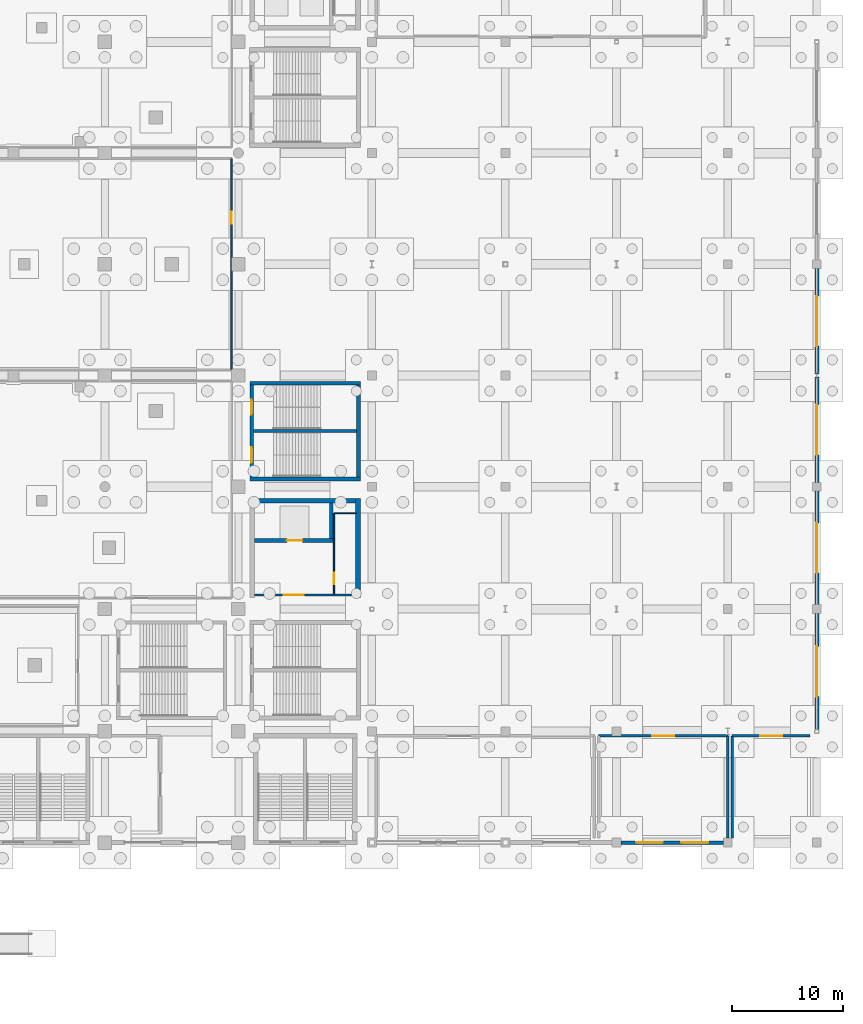
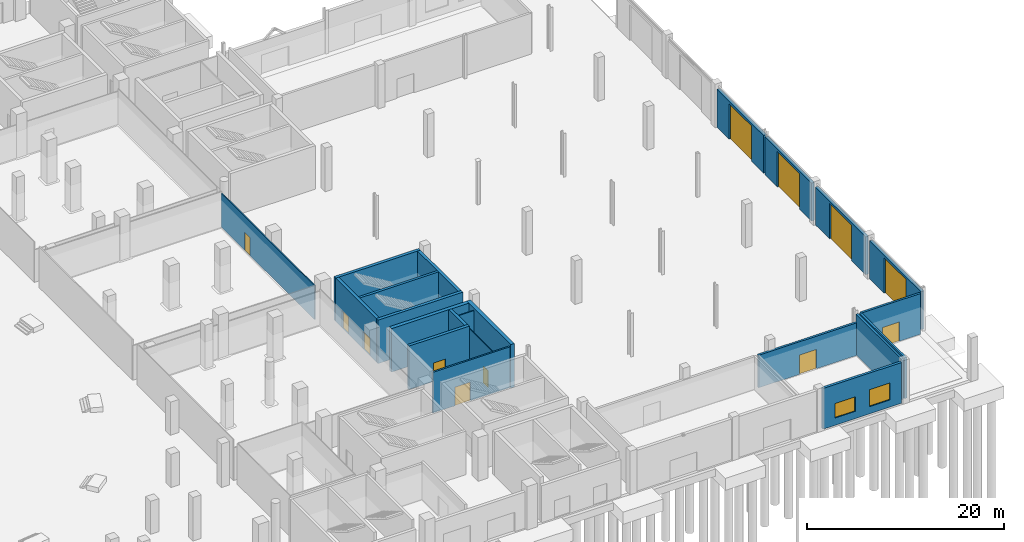
# One storey, part 55 of 70: 22 walls, 12 doors, 2 windows, 14 openings.
"""IFC4 building model written with IfcOpenShell, lengths in metres."""

from ifc_helpers import new_model, si_unit, direction, frame, frame_2d, origin, place, context, subcontext, project, spatial, rectangle, extrude, material, layer, layer_set, type_object, element, fill, save


model = new_model("IFC4")

# Units and contexts
model_context = context("Model", 3, precision=1e-05, world=origin(), true_north=direction((0.0, 1.0)))
body_context = subcontext(model_context, "Body", "Model", "MODEL_VIEW")
ifc_project = project(units=[si_unit("LENGTHUNIT", "METRE"), si_unit("AREAUNIT", "SQUARE_METRE"), si_unit("VOLUMEUNIT", "CUBIC_METRE"), si_unit("PLANEANGLEUNIT", "RADIAN"), si_unit("MASSUNIT", "GRAM", prefix="KILO")], contexts=[model_context])

# Site, building, storey
site_placement = place(None, origin())
site = spatial("IfcSite", under=ifc_project, at=site_placement, CompositionType="ELEMENT")
building_placement = place(site_placement, origin())
building = spatial("IfcBuilding", under=site, at=building_placement, Name="Brinegate Civic Arena", CompositionType="ELEMENT")
storey_placement = place(building_placement, origin())
storey = spatial("IfcBuildingStorey", under=building, at=storey_placement, Name="L00", CompositionType="ELEMENT", Elevation=0.0)

# Walls
ifc_material_1 = material(Name="Concrete C50/60", Category="concrete")
ifc_layer_1 = layer(ifc_material_1, 0.35009765625, Name="Concrete C50/60")
ifc_layer_set_1 = layer_set([ifc_layer_1], Name="Concrete C50/60")
wall_type_1 = type_object("IfcWallType", Name="WALL-CORE-SHEAR-350", PredefinedType="SHEAR", material=ifc_layer_set_1)
for number, where, z_axis, x_axis, name in (
    (1, (157.02490234375, 42.699951171875, 0.0), (0.0, 0.0, 1.0), (1.0, 0.0, 0.0), "Stair ST-10 South Shear Wall L00 (WBD-54)"),
    (2, (157.02490234375, 51.300048828125, 0.0), (0.0, 0.0, 1.0), (1.0, 0.0, 0.0), "Stair ST-10 North Shear Wall L00 (WBD-55)"),
):
    element("IfcWall", number, at=place(storey_placement, frame(where, z_axis=z_axis, x_axis=x_axis)), inside=storey, type_object=wall_type_1, Name=name, PredefinedType="SHEAR", context=body_context, shape_type="SweptSolid", body=[
        extrude(rectangle(XDim=9.9501953125, YDim=0.35009765625, at=frame_2d((4.97509765625, 0.0))), origin(), (0.0, 0.0, 1.0), 5.39990234375),
    ])

# Wall, openings, doors
wall_1_placement = place(storey_placement, frame((157.199951171875, 42.875, 0.0), z_axis=(0.0, 0.0, 1.0), x_axis=(0.0, 1.0, 0.0)))
wall_1 = element("IfcWall", 3, at=wall_1_placement, inside=storey, type_object=wall_type_1, Name="Stair ST-10 West Shear Wall L00 (WBD-56)", PredefinedType="SHEAR", context=body_context, shape_type="SweptSolid", body=[
    extrude(rectangle(XDim=8.25, YDim=0.35009765625, at=frame_2d((4.125, 0.0))), origin(), (0.0, 0.0, 1.0), 5.39990234375),
])
opening_1_placement = place(wall_1_placement, frame((1.27490234375, 0.0, 0.0)))
opening_1 = element("IfcOpeningElement", 4, at=opening_1_placement, cuts=wall_1, Name="Opening D-ST10A-L00", PredefinedType="OPENING", context=body_context, shape_type="SweptSolid", body=[
    extrude(rectangle(XDim=1.39990234375, YDim=2.199951171875, at=frame_2d((0.699951171875, 1.10009765625))), frame((0.0, 0.18505859375, 0.0), z_axis=(0.0, -1.0, 0.0), x_axis=(1.0, 0.0, 0.0)), (0.0, 0.0, 1.0), 0.3701171875),
])
opening_2_placement = place(wall_1_placement, frame((5.614990234375, 0.0, 0.0)))
opening_2 = element("IfcOpeningElement", 5, at=opening_2_placement, cuts=wall_1, Name="Opening D-ST10B-L00", PredefinedType="OPENING", context=body_context, shape_type="SweptSolid", body=[
    extrude(rectangle(XDim=1.320068359375, YDim=2.199951171875, at=frame_2d((0.66015625, 1.10009765625))), frame((0.0, 0.18505859375, 0.0), z_axis=(0.0, -1.0, 0.0), x_axis=(1.0, 0.0, 0.0)), (0.0, 0.0, 1.0), 0.3701171875),
])
ifc_material_2 = material(Name="Galvanized hurricane steel", Category="steel")
door_type_1 = type_object("IfcDoorType", Name="DOOR-STAIR-2200X2200", OperationType="NOTDEFINED", PredefinedType="DOOR", material=ifc_material_2)
door_1_placement = place(opening_2_placement, origin())
door_1 = element("IfcDoor", 6, at=door_1_placement, inside=storey, type_object=door_type_1, Name="Protected Exit Stair Door D-ST10B-L00", OperationType="DOUBLE_DOOR_SINGLE_SWING", OverallHeight=2.199951171875, OverallWidth=1.320068359375, PredefinedType="DOOR", context=body_context, shape_type="SweptSolid", body=[
    extrude(rectangle(XDim=1.320068359375, YDim=2.199951171875, at=frame_2d((0.66015625, 1.10009765625))), frame((0.0, 0.02490234375, 0.0), z_axis=(0.0, -1.0, 0.0), x_axis=(1.0, 0.0, 0.0)), (0.0, 0.0, 1.0), 0.050048828125),
])
fill(opening_2, door_1)
door_type_2 = type_object("IfcDoorType", Name="DOOR-STAIR-2400X2200", OperationType="NOTDEFINED", PredefinedType="DOOR", material=ifc_material_2)
door_2_placement = place(opening_1_placement, origin())
door_2 = element("IfcDoor", 7, at=door_2_placement, inside=storey, type_object=door_type_2, Name="Protected Exit Stair Door D-ST10A-L00", OperationType="DOUBLE_DOOR_SINGLE_SWING", OverallHeight=2.199951171875, OverallWidth=1.39990234375, PredefinedType="DOOR", context=body_context, shape_type="SweptSolid", body=[
    extrude(rectangle(XDim=1.39990234375, YDim=2.199951171875, at=frame_2d((0.699951171875, 1.10009765625))), frame((0.0, 0.02490234375, 0.0), z_axis=(0.0, -1.0, 0.0), x_axis=(1.0, 0.0, 0.0)), (0.0, 0.0, 1.0), 0.050048828125),
])
fill(opening_1, door_2)

# Wall
wall_2_placement = place(storey_placement, frame((166.800048828125, 42.875, 0.0), z_axis=(0.0, 0.0, 1.0), x_axis=(0.0, 1.0, 0.0)))
element("IfcWall", 8, at=wall_2_placement, inside=storey, type_object=wall_type_1, Name="Stair ST-10 East Shear Wall L00 (WBD-57)", PredefinedType="SHEAR", context=body_context, shape_type="SweptSolid", body=[
    extrude(rectangle(XDim=8.25, YDim=0.35009765625, at=frame_2d((4.125, 0.0))), origin(), (0.0, 0.0, 1.0), 5.39990234375),
])

# Wall, opening, door
wall_3_placement = place(storey_placement, frame((157.4599609375, 37.14990234375, 0.0), z_axis=(0.0, 0.0, 1.0), x_axis=(1.0, 0.0, 0.0)))
wall_3 = element("IfcWall", 9, at=wall_3_placement, inside=storey, type_object=wall_type_1, Name="Core K6 Lift Shaft Front Wall L00 (WBH-83)", PredefinedType="SHEAR", context=body_context, shape_type="SweptSolid", body=[
    extrude(rectangle(XDim=7.06494140625, YDim=0.35009765625, at=frame_2d((3.532470703125, 0.0))), origin(), (0.0, 0.0, 1.0), 5.39990234375),
])
opening_3_placement = place(wall_3_placement, frame((2.889892578125, 0.0, 0.0)))
opening_3 = element("IfcOpeningElement", 10, at=opening_3_placement, cuts=wall_3, Name="Opening LD-GL2-L00", PredefinedType="OPENING", context=body_context, shape_type="SweptSolid", body=[
    extrude(rectangle(XDim=1.39990234375, YDim=2.300048828125, at=frame_2d((0.699951171875, 1.14990234375))), frame((0.0, 0.18505859375, 0.0), z_axis=(0.0, -1.0, 0.0), x_axis=(1.0, 0.0, 0.0)), (0.0, 0.0, 1.0), 0.3701171875),
])
ifc_material_3 = material(Name="Architectural stainless steel balustrade", Category="steel")
door_type_3 = type_object("IfcDoorType", Name="DOOR-LIFT-1400X2300", OperationType="SLIDING_TO_LEFT", PredefinedType="DOOR", material=ifc_material_3)
door_3_placement = place(opening_3_placement, origin())
door_3 = element("IfcDoor", 11, at=door_3_placement, inside=storey, type_object=door_type_3, Name="Sliding Lift Landing Door LD-GL2-L00", OperationType="SLIDING_TO_LEFT", OverallHeight=2.300048828125, OverallWidth=1.39990234375, PredefinedType="DOOR", context=body_context, shape_type="SweptSolid", body=[
    extrude(rectangle(XDim=1.39990234375, YDim=2.300048828125, at=frame_2d((0.699951171875, 1.14990234375))), frame((0.0, 0.02490234375, 0.0), z_axis=(0.0, -1.0, 0.0), x_axis=(1.0, 0.0, 0.0)), (0.0, 0.0, 1.0), 0.050048828125),
])
fill(opening_3, door_3)

# Walls
wall_4_placement = place(storey_placement, frame((164.35009765625, 37.324951171875, 0.0), z_axis=(0.0, 0.0, 1.0), x_axis=(0.0, 1.0, 0.0)))
element("IfcWall", 12, at=wall_4_placement, inside=storey, type_object=wall_type_1, Name="Core K6 Lift Shaft End Wall L00 (WBH-84)", PredefinedType="SHEAR", context=body_context, shape_type="SweptSolid", body=[
    extrude(rectangle(XDim=3.215087890625, YDim=0.35009765625, at=frame_2d((1.607421875, 0.0))), origin(), (0.0, 0.0, 1.0), 5.39990234375),
])
ifc_layer_2 = layer(ifc_material_1, 0.419921875, Name="Concrete C50/60")
ifc_layer_set_2 = layer_set([ifc_layer_2], Name="Concrete C50/60")
wall_type_2 = type_object("IfcWallType", Name="WALL-CORE-SHEAR-420", PredefinedType="SHEAR", material=ifc_layer_set_2)
wall_5_placement = place(storey_placement, frame((166.75, 32.0400390625, 0.0), z_axis=(0.0, 0.0, 1.0), x_axis=(0.0, 1.0, 0.0)))
element("IfcWall", 13, at=wall_5_placement, inside=storey, type_object=wall_type_2, Name="Core K6 East Shear Wall L00 (WBH-81)", PredefinedType="SHEAR", context=body_context, shape_type="SweptSolid", body=[
    extrude(rectangle(XDim=8.919921875, YDim=0.419921875, at=frame_2d((4.4599609375, 0.0))), origin(), (0.0, 0.0, 1.0), 5.39990234375),
])
wall_6_placement = place(storey_placement, frame((157.4599609375, 40.75, 0.0), z_axis=(0.0, 0.0, 1.0), x_axis=(1.0, 0.0, 0.0)))
element("IfcWall", 14, at=wall_6_placement, inside=storey, type_object=wall_type_2, Name="Core K6 North Shear Wall L00 (WBH-82)", PredefinedType="SHEAR", context=body_context, shape_type="SweptSolid", body=[
    extrude(rectangle(XDim=9.080078125, YDim=0.419921875, at=frame_2d((4.5400390625, 0.0))), origin(), (0.0, 0.0, 1.0), 5.39990234375),
])

# Wall, openings, windows
ifc_material_4 = material(Name="Precast concrete C45/55", Category="concrete")
ifc_layer_3 = layer(ifc_material_4, 0.300048828125, Name="Precast concrete C45/55")
ifc_layer_set_3 = layer_set([ifc_layer_3], Name="Precast concrete C45/55")
wall_type_3 = type_object("IfcWallType", Name="WALL-EXT-PRECAST-300", PredefinedType="SOLIDWALL", material=ifc_layer_set_3)
wall_7_placement = place(storey_placement, frame((190.385009765625, 10.0, 0.0), z_axis=(0.0, 0.0, 1.0), x_axis=(1.0, 0.0, 0.0)))
wall_7 = element("IfcWall", 15, at=wall_7_placement, inside=storey, type_object=wall_type_3, Name="Perimeter Window Wall L00-03 (WBA-04)", PredefinedType="SOLIDWALL", context=body_context, shape_type="SweptSolid", body=[
    extrude(rectangle(XDim=9.22998046875, YDim=0.300048828125, at=frame_2d((4.614990234375, 0.0))), origin(), (0.0, 0.0, 1.0), 5.06005859375),
])
opening_4_placement = place(wall_7_placement, frame((1.384033203125, 0.0, 0.89990234375)))
opening_4 = element("IfcOpeningElement", 16, at=opening_4_placement, cuts=wall_7, Name="Opening WN-0005", PredefinedType="OPENING", context=body_context, shape_type="SweptSolid", body=[
    extrude(rectangle(XDim=2.39990234375, YDim=1.800048828125, at=frame_2d((1.199951171875, 0.89990234375))), frame((0.0, 0.159912109375, 0.0), z_axis=(0.0, -1.0, 0.0), x_axis=(1.0, 0.0, 0.0)), (0.0, 0.0, 1.0), 0.320068359375),
])
opening_5_placement = place(wall_7_placement, frame((5.446044921875, 0.0, 0.89990234375)))
opening_5 = element("IfcOpeningElement", 17, at=opening_5_placement, cuts=wall_7, Name="Opening WN-0006", PredefinedType="OPENING", context=body_context, shape_type="SweptSolid", body=[
    extrude(rectangle(XDim=2.39990234375, YDim=2.10009765625, at=frame_2d((1.199951171875, 1.050048828125))), frame((0.0, 0.159912109375, 0.0), z_axis=(0.0, -1.0, 0.0), x_axis=(1.0, 0.0, 0.0)), (0.0, 0.0, 1.0), 0.320068359375),
])
ifc_material_5 = material(Name="Hurricane laminated low-E glass", Category="glass")
window_type_1 = type_object("IfcWindowType", Name="WIN-CASEMENT-2400X1800", PartitioningType="SINGLE_PANEL", PredefinedType="WINDOW", material=ifc_material_5)
window_1_placement = place(opening_4_placement, origin())
window_1 = element("IfcWindow", 18, at=window_1_placement, inside=storey, type_object=window_type_1, Name="Window WN-0005", OverallHeight=1.800048828125, OverallWidth=2.39990234375, PartitioningType="SINGLE_PANEL", PredefinedType="WINDOW", context=body_context, shape_type="SweptSolid", body=[
    extrude(rectangle(XDim=2.39990234375, YDim=1.800048828125, at=frame_2d((1.199951171875, 0.89990234375))), frame((0.0, 0.030029296875, 0.0), z_axis=(0.0, -1.0, 0.0), x_axis=(1.0, 0.0, 0.0)), (0.0, 0.0, 1.0), 0.06005859375),
])
fill(opening_4, window_1)
window_type_2 = type_object("IfcWindowType", Name="WIN-CASEMENT-2400X2100", PartitioningType="SINGLE_PANEL", PredefinedType="WINDOW", material=ifc_material_5)
window_2_placement = place(opening_5_placement, origin())
window_2 = element("IfcWindow", 19, at=window_2_placement, inside=storey, type_object=window_type_2, Name="Window WN-0006", OverallHeight=2.10009765625, OverallWidth=2.39990234375, PartitioningType="SINGLE_PANEL", PredefinedType="WINDOW", context=body_context, shape_type="SweptSolid", body=[
    extrude(rectangle(XDim=2.39990234375, YDim=2.10009765625, at=frame_2d((1.199951171875, 1.050048828125))), frame((0.0, 0.030029296875, 0.0), z_axis=(0.0, -1.0, 0.0), x_axis=(1.0, 0.0, 0.0)), (0.0, 0.0, 1.0), 0.06005859375),
])
fill(opening_5, window_2)

# Wall, opening, door
ifc_layer_4 = layer(ifc_material_4, 0.360107421875, Name="Precast concrete C45/55")
ifc_layer_set_4 = layer_set([ifc_layer_4], Name="Precast concrete C45/55")
wall_type_4 = type_object("IfcWallType", Name="WALL-EXT-PRECAST-360", PredefinedType="SOLIDWALL", material=ifc_layer_set_4)
wall_8_placement = place(storey_placement, frame((208.0, 20.159912109375, 0.0), z_axis=(0.0, 0.0, 1.0), x_axis=(0.0, 1.0, 0.0)))
wall_8 = element("IfcWall", 20, at=wall_8_placement, inside=storey, type_object=wall_type_4, Name="Marshalling Dock East Wall 01 (WBA-36)", PredefinedType="SOLIDWALL", context=body_context, shape_type="SweptSolid", body=[
    extrude(rectangle(XDim=10.455078125, YDim=0.360107421875, at=frame_2d((5.2275390625, 0.0))), origin(), (0.0, 0.0, 1.0), 4.699951171875),
])
opening_6_placement = place(wall_8_placement, frame((2.97802734375, 0.0, 0.0)))
opening_6 = element("IfcOpeningElement", 21, at=opening_6_placement, cuts=wall_8, Name="Opening VG-01", PredefinedType="OPENING", context=body_context, shape_type="SweptSolid", body=[
    extrude(rectangle(XDim=4.5, YDim=4.39990234375, at=frame_2d((2.25, 2.199951171875))), frame((0.0, 0.18994140625, 0.0), z_axis=(0.0, -1.0, 0.0), x_axis=(1.0, 0.0, 0.0)), (0.0, 0.0, 1.0), 0.380126953125),
])
door_type_4 = type_object("IfcDoorType", Name="DOOR-SHUTTER-4500X4400", OperationType="ROLLINGUP", PredefinedType="DOOR", material=ifc_material_2)
door_4_placement = place(opening_6_placement, frame((4.5, 0.0, 0.0), z_axis=(0.0, 0.0, 1.0), x_axis=(-1.0, 0.0, 0.0)))
door_4 = element("IfcDoor", 22, at=door_4_placement, inside=storey, type_object=door_type_4, Name="Loading Dock Roller Shutter VG-01", OperationType="ROLLINGUP", OverallHeight=4.39990234375, OverallWidth=4.5, PredefinedType="DOOR", context=body_context, shape_type="SweptSolid", body=[
    extrude(rectangle(XDim=4.5, YDim=4.39990234375, at=frame_2d((2.25, 2.199951171875))), frame((0.0, 0.02490234375, 0.0), z_axis=(0.0, -1.0, 0.0), x_axis=(1.0, 0.0, 0.0)), (0.0, 0.0, 1.0), 0.050048828125),
])
fill(opening_6, door_4)

wall_9_placement = place(storey_placement, frame((208.0, 31.385009765625, 0.0), z_axis=(0.0, 0.0, 1.0), x_axis=(0.0, 1.0, 0.0)))
wall_9 = element("IfcWall", 23, at=wall_9_placement, inside=storey, type_object=wall_type_4, Name="Marshalling Dock East Wall 02 (WBA-37)", PredefinedType="SOLIDWALL", context=body_context, shape_type="SweptSolid", body=[
    extrude(rectangle(XDim=10.22998046875, YDim=0.360107421875, at=frame_2d((5.114990234375, 0.0))), origin(), (0.0, 0.0, 1.0), 4.699951171875),
])
opening_7_placement = place(wall_9_placement, frame((2.864990234375, 0.0, 0.0)))
opening_7 = element("IfcOpeningElement", 24, at=opening_7_placement, cuts=wall_9, Name="Opening VG-02", PredefinedType="OPENING", context=body_context, shape_type="SweptSolid", body=[
    extrude(rectangle(XDim=4.5, YDim=4.39990234375, at=frame_2d((2.25, 2.199951171875))), frame((0.0, 0.18994140625, 0.0), z_axis=(0.0, -1.0, 0.0), x_axis=(1.0, 0.0, 0.0)), (0.0, 0.0, 1.0), 0.380126953125),
])
door_5_placement = place(opening_7_placement, frame((4.5, 0.0, 0.0), z_axis=(0.0, 0.0, 1.0), x_axis=(-1.0, 0.0, 0.0)))
door_5 = element("IfcDoor", 25, at=door_5_placement, inside=storey, type_object=door_type_4, Name="Loading Dock Roller Shutter VG-02", OperationType="ROLLINGUP", OverallHeight=4.39990234375, OverallWidth=4.5, PredefinedType="DOOR", context=body_context, shape_type="SweptSolid", body=[
    extrude(rectangle(XDim=4.5, YDim=4.39990234375, at=frame_2d((2.25, 2.199951171875))), frame((0.0, 0.02490234375, 0.0), z_axis=(0.0, -1.0, 0.0), x_axis=(1.0, 0.0, 0.0)), (0.0, 0.0, 1.0), 0.050048828125),
])
fill(opening_7, door_5)

wall_10_placement = place(storey_placement, frame((208.0, 42.385009765625, 0.0), z_axis=(0.0, 0.0, 1.0), x_axis=(0.0, 1.0, 0.0)))
wall_10 = element("IfcWall", 26, at=wall_10_placement, inside=storey, type_object=wall_type_4, Name="Marshalling Dock East Wall 03 (WBA-38)", PredefinedType="SOLIDWALL", context=body_context, shape_type="SweptSolid", body=[
    extrude(rectangle(XDim=9.468017578125, YDim=0.360107421875, at=frame_2d((4.73388671875, 0.0))), origin(), (0.0, 0.0, 1.0), 4.699951171875),
])
opening_8_placement = place(wall_10_placement, frame((2.48388671875, 0.0, 0.0)))
opening_8 = element("IfcOpeningElement", 27, at=opening_8_placement, cuts=wall_10, Name="Opening VG-03", PredefinedType="OPENING", context=body_context, shape_type="SweptSolid", body=[
    extrude(rectangle(XDim=4.5, YDim=4.39990234375, at=frame_2d((2.25, 2.199951171875))), frame((0.0, 0.18994140625, 0.0), z_axis=(0.0, -1.0, 0.0), x_axis=(1.0, 0.0, 0.0)), (0.0, 0.0, 1.0), 0.380126953125),
])
door_6_placement = place(opening_8_placement, frame((4.5, 0.0, 0.0), z_axis=(0.0, 0.0, 1.0), x_axis=(-1.0, 0.0, 0.0)))
door_6 = element("IfcDoor", 28, at=door_6_placement, inside=storey, type_object=door_type_4, Name="Loading Dock Roller Shutter VG-03", OperationType="ROLLINGUP", OverallHeight=4.39990234375, OverallWidth=4.5, PredefinedType="DOOR", context=body_context, shape_type="SweptSolid", body=[
    extrude(rectangle(XDim=4.5, YDim=4.39990234375, at=frame_2d((2.25, 2.199951171875))), frame((0.0, 0.02490234375, 0.0), z_axis=(0.0, -1.0, 0.0), x_axis=(1.0, 0.0, 0.0)), (0.0, 0.0, 1.0), 0.050048828125),
])
fill(opening_8, door_6)

wall_11_placement = place(storey_placement, frame((208.0, 52.14697265625, 0.0), z_axis=(0.0, 0.0, 1.0), x_axis=(0.0, 1.0, 0.0)))
wall_11 = element("IfcWall", 29, at=wall_11_placement, inside=storey, type_object=wall_type_4, Name="Marshalling Dock East Wall 04 (WBA-39)", PredefinedType="SOLIDWALL", context=body_context, shape_type="SweptSolid", body=[
    extrude(rectangle(XDim=9.468017578125, YDim=0.360107421875, at=frame_2d((4.73388671875, 0.0))), origin(), (0.0, 0.0, 1.0), 4.699951171875),
])
opening_9_placement = place(wall_11_placement, frame((2.48388671875, 0.0, 0.0)))
opening_9 = element("IfcOpeningElement", 30, at=opening_9_placement, cuts=wall_11, Name="Opening VG-04", PredefinedType="OPENING", context=body_context, shape_type="SweptSolid", body=[
    extrude(rectangle(XDim=4.5, YDim=4.39990234375, at=frame_2d((2.25, 2.199951171875))), frame((0.0, 0.18994140625, 0.0), z_axis=(0.0, -1.0, 0.0), x_axis=(1.0, 0.0, 0.0)), (0.0, 0.0, 1.0), 0.380126953125),
])
door_7_placement = place(opening_9_placement, frame((4.5, 0.0, 0.0), z_axis=(0.0, 0.0, 1.0), x_axis=(-1.0, 0.0, 0.0)))
door_7 = element("IfcDoor", 31, at=door_7_placement, inside=storey, type_object=door_type_4, Name="Loading Dock Roller Shutter VG-04", OperationType="ROLLINGUP", OverallHeight=4.39990234375, OverallWidth=4.5, PredefinedType="DOOR", context=body_context, shape_type="SweptSolid", body=[
    extrude(rectangle(XDim=4.5, YDim=4.39990234375, at=frame_2d((2.25, 2.199951171875))), frame((0.0, 0.02490234375, 0.0), z_axis=(0.0, -1.0, 0.0), x_axis=(1.0, 0.0, 0.0)), (0.0, 0.0, 1.0), 0.050048828125),
])
fill(opening_9, door_7)

# Wall
ifc_material_6 = material(Name="Concrete C40/50", Category="concrete")
ifc_layer_5 = layer(ifc_material_6, 0.25, Name="Concrete C40/50")
ifc_layer_set_5 = layer_set([ifc_layer_5], Name="Concrete C40/50")
wall_type_5 = type_object("IfcWallType", Name="WALL-INT-SOLID-250", PredefinedType="SOLIDWALL", material=ifc_layer_set_5)
wall_12_placement = place(storey_placement, frame((200.0, 19.60009765625, 0.0), z_axis=(0.0, 0.0, 1.0), x_axis=(0.0, -1.0, 0.0)))
element("IfcWall", 32, at=wall_12_placement, inside=storey, type_object=wall_type_5, Name="Emergency Standby Generator Room Partition Wall E1 (WBI-49)", PredefinedType="SOLIDWALL", context=body_context, shape_type="SweptSolid", body=[
    extrude(rectangle(XDim=9.2001953125, YDim=0.25, at=frame_2d((4.60009765625, 0.0))), origin(), (0.0, 0.0, 1.0), 5.06005859375),
])

# Wall, opening, door
wall_13_placement = place(storey_placement, frame((188.39990234375, 19.60009765625, 0.0), z_axis=(0.0, 0.0, 1.0), x_axis=(1.0, 0.0, 0.0)))
wall_13 = element("IfcWall", 33, at=wall_13_placement, inside=storey, type_object=wall_type_5, Name="Emergency Standby Generator Room Partition Wall E4 (WBI-51)", PredefinedType="SOLIDWALL", context=body_context, shape_type="SweptSolid", body=[
    extrude(rectangle(XDim=11.60009765625, YDim=0.25, at=frame_2d((5.800048828125, 0.0))), origin(), (0.0, 0.0, 1.0), 4.0400390625),
])
opening_10_placement = place(wall_13_placement, frame((4.800048828125, 0.0, 0.0)))
opening_10 = element("IfcOpeningElement", 34, at=opening_10_placement, cuts=wall_13, Name="Opening D-L00-157", PredefinedType="OPENING", context=body_context, shape_type="SweptSolid", body=[
    extrude(rectangle(XDim=2.0, YDim=2.39990234375, at=frame_2d((1.0, 1.199951171875))), frame((0.0, 0.135009765625, 0.0), z_axis=(0.0, -1.0, 0.0), x_axis=(1.0, 0.0, 0.0)), (0.0, 0.0, 1.0), 0.27001953125),
])
door_type_5 = type_object("IfcDoorType", Name="DOOR-PLANT-2000X2400", OperationType="NOTDEFINED", PredefinedType="DOOR", material=ifc_material_2)
door_8_placement = place(opening_10_placement, origin())
door_8 = element("IfcDoor", 35, at=door_8_placement, inside=storey, type_object=door_type_5, Name="Emergency Standby Generator Room Door D-L00-157", OperationType="DOUBLE_DOOR_SINGLE_SWING", OverallHeight=2.39990234375, OverallWidth=2.0, PredefinedType="DOOR", context=body_context, shape_type="SweptSolid", body=[
    extrude(rectangle(XDim=2.0, YDim=2.39990234375, at=frame_2d((1.0, 1.199951171875))), frame((0.0, 0.02490234375, 0.0), z_axis=(0.0, -1.0, 0.0), x_axis=(1.0, 0.0, 0.0)), (0.0, 0.0, 1.0), 0.050048828125),
])
fill(opening_10, door_8)

# Wall
wall_14_placement = place(storey_placement, frame((200.39990234375, 10.39990234375, 0.0), z_axis=(0.0, 0.0, 1.0), x_axis=(0.0, 1.0, 0.0)))
element("IfcWall", 36, at=wall_14_placement, inside=storey, type_object=wall_type_5, Name="High-Voltage Substation and Switchgear Room Partition Wall E3 (WBI-52)", PredefinedType="SOLIDWALL", context=body_context, shape_type="SweptSolid", body=[
    extrude(rectangle(XDim=9.2001953125, YDim=0.25, at=frame_2d((4.60009765625, 0.0))), origin(), (0.0, 0.0, 1.0), 5.06005859375),
])

# Wall, opening, door
wall_15_placement = place(storey_placement, frame((200.39990234375, 19.60009765625, 0.0), z_axis=(0.0, 0.0, 1.0), x_axis=(1.0, 0.0, 0.0)))
wall_15 = element("IfcWall", 37, at=wall_15_placement, inside=storey, type_object=wall_type_5, Name="High-Voltage Substation and Switchgear Room Partition Wall E4 (WBI-53)", PredefinedType="SOLIDWALL", context=body_context, shape_type="SweptSolid", body=[
    extrude(rectangle(XDim=7.0, YDim=0.25, at=frame_2d((3.5, 0.0))), origin(), (0.0, 0.0, 1.0), 5.06005859375),
])
opening_11_placement = place(wall_15_placement, frame((2.5, 0.0, 0.0)))
opening_11 = element("IfcOpeningElement", 38, at=opening_11_placement, cuts=wall_15, Name="Opening D-L00-158", PredefinedType="OPENING", context=body_context, shape_type="SweptSolid", body=[
    extrude(rectangle(XDim=2.0, YDim=2.39990234375, at=frame_2d((1.0, 1.199951171875))), frame((0.0, 0.135009765625, 0.0), z_axis=(0.0, -1.0, 0.0), x_axis=(1.0, 0.0, 0.0)), (0.0, 0.0, 1.0), 0.27001953125),
])
door_9_placement = place(opening_11_placement, origin())
door_9 = element("IfcDoor", 39, at=door_9_placement, inside=storey, type_object=door_type_5, Name="High-Voltage Substation and Switchgear Room Door D-L00-158", OperationType="DOUBLE_DOOR_SINGLE_SWING", OverallHeight=2.39990234375, OverallWidth=2.0, PredefinedType="DOOR", context=body_context, shape_type="SweptSolid", body=[
    extrude(rectangle(XDim=2.0, YDim=2.39990234375, at=frame_2d((1.0, 1.199951171875))), frame((0.0, 0.02490234375, 0.0), z_axis=(0.0, -1.0, 0.0), x_axis=(1.0, 0.0, 0.0)), (0.0, 0.0, 1.0), 0.050048828125),
])
fill(opening_11, door_9)

ifc_material_7 = material(Name="Fire-rated gypsum partition assembly")
ifc_layer_6 = layer(ifc_material_7, 0.1298828125, Name="Fire-rated gypsum partition assembly")
ifc_layer_set_6 = layer_set([ifc_layer_6], Name="Fire-rated gypsum partition assembly")
wall_type_6 = type_object("IfcWallType", Name="WALL-PART-ACOUSTIC-130", PredefinedType="PARTITIONING", material=ifc_layer_set_6)
wall_16_placement = place(storey_placement, frame((155.39990234375, 71.5, 0.0), z_axis=(0.0, 0.0, 1.0), x_axis=(0.0, -1.0, 0.0)))
wall_16 = element("IfcWall", 40, at=wall_16_placement, inside=storey, type_object=wall_type_6, Name="Home Athlete Locker and Shower Suite Partition Wall E1 (WBI-24)", PredefinedType="PARTITIONING", context=body_context, shape_type="SweptSolid", body=[
    extrude(rectangle(XDim=19.0, YDim=0.1298828125, at=frame_2d((9.5, 0.0))), origin(), (0.0, 0.0, 1.0), 4.18994140625),
])
opening_12_placement = place(wall_16_placement, frame((4.77001953125, 0.0, 0.0)))
opening_12 = element("IfcOpeningElement", 41, at=opening_12_placement, cuts=wall_16, Name="Opening D-L00-150", PredefinedType="OPENING", context=body_context, shape_type="SweptSolid", body=[
    extrude(rectangle(XDim=1.10009765625, YDim=2.199951171875, at=frame_2d((0.550048828125, 1.10009765625))), frame((0.0, 0.074951171875, 0.0), z_axis=(0.0, -1.0, 0.0), x_axis=(1.0, 0.0, 0.0)), (0.0, 0.0, 1.0), 0.14990234375),
])
ifc_material_8 = material(Name="Hardwood acoustic timber door", Category="wood")
door_type_6 = type_object("IfcDoorType", Name="DOOR-LOCKER-1100X2200", OperationType="NOTDEFINED", PredefinedType="DOOR", material=ifc_material_8)
door_10_placement = place(opening_12_placement, origin())
door_10 = element("IfcDoor", 42, at=door_10_placement, inside=storey, type_object=door_type_6, Name="Home Athlete Locker and Shower Suite Door D-L00-150", OperationType="SINGLE_SWING_RIGHT", OverallHeight=2.199951171875, OverallWidth=1.10009765625, PredefinedType="DOOR", context=body_context, shape_type="SweptSolid", body=[
    extrude(rectangle(XDim=1.10009765625, YDim=2.199951171875, at=frame_2d((0.550048828125, 1.10009765625))), frame((0.0, 0.02490234375, 0.0), z_axis=(0.0, -1.0, 0.0), x_axis=(1.0, 0.0, 0.0)), (0.0, 0.0, 1.0), 0.050048828125),
])
fill(opening_12, door_10)

ifc_material_9 = material(Name="Concrete blockwork masonry", Category="masonry")
ifc_layer_7 = layer(ifc_material_9, 0.18994140625, Name="Concrete blockwork masonry")
ifc_layer_set_7 = layer_set([ifc_layer_7], Name="Concrete blockwork masonry")
wall_type_7 = type_object("IfcWallType", Name="WALL-PART-RATED-190", PredefinedType="PARTITIONING", material=ifc_layer_set_7)
wall_17_placement = place(storey_placement, frame((157.469970703125, 32.25, 0.0), z_axis=(0.0, 0.0, 1.0), x_axis=(1.0, 0.0, 0.0)))
wall_17 = element("IfcWall", 43, at=wall_17_placement, inside=storey, type_object=wall_type_7, Name="Core K6 Concourse Lobby Wall L00 (WBH-85)", PredefinedType="PARTITIONING", context=body_context, shape_type="SweptSolid", body=[
    extrude(rectangle(XDim=9.06005859375, YDim=0.18994140625, at=frame_2d((4.530029296875, 0.0))), origin(), (0.0, 0.0, 1.0), 5.06005859375),
])
opening_13_placement = place(wall_17_placement, frame((2.60009765625, 0.0, 0.0)))
opening_13 = element("IfcOpeningElement", 44, at=opening_13_placement, cuts=wall_17, Name="Opening D-K6L-L00", PredefinedType="OPENING", context=body_context, shape_type="SweptSolid", body=[
    extrude(rectangle(XDim=1.800048828125, YDim=2.300048828125, at=frame_2d((0.89990234375, 1.14990234375))), frame((0.0, 0.10498046875, 0.0), z_axis=(0.0, -1.0, 0.0), x_axis=(1.0, 0.0, 0.0)), (0.0, 0.0, 1.0), 0.2099609375),
])
ifc_material_10 = material(Name="Marine grade aluminium", Category="aluminium")
door_type_7 = type_object("IfcDoorType", Name="DOOR-CONC-1800X2300", OperationType="NOTDEFINED", PredefinedType="DOOR", material=ifc_material_10)
door_11_placement = place(opening_13_placement, origin())
door_11 = element("IfcDoor", 45, at=door_11_placement, inside=storey, type_object=door_type_7, Name="Lift Lobby Door D-K6L-L00", OperationType="DOUBLE_DOOR_SINGLE_SWING", OverallHeight=2.300048828125, OverallWidth=1.800048828125, PredefinedType="DOOR", context=body_context, shape_type="SweptSolid", body=[
    extrude(rectangle(XDim=1.800048828125, YDim=2.300048828125, at=frame_2d((0.89990234375, 1.14990234375))), frame((0.0, 0.02490234375, 0.0), z_axis=(0.0, -1.0, 0.0), x_axis=(1.0, 0.0, 0.0)), (0.0, 0.0, 1.0), 0.050048828125),
])
fill(opening_13, door_11)

ifc_layer_8 = layer(ifc_material_9, 0.10009765625, Name="Concrete blockwork masonry")
ifc_layer_set_8 = layer_set([ifc_layer_8], Name="Concrete blockwork masonry")
wall_type_8 = type_object("IfcWallType", Name="WALL-PART-WET-100", PredefinedType="PARTITIONING", material=ifc_layer_set_8)
wall_18_placement = place(storey_placement, frame((164.60009765625, 32.35009765625, 0.0), z_axis=(0.0, 0.0, 1.0), x_axis=(0.0, 1.0, 0.0)))
wall_18 = element("IfcWall", 46, at=wall_18_placement, inside=storey, type_object=wall_type_8, Name="Accessible WC K6 Partition L00 (WBH-86)", PredefinedType="PARTITIONING", context=body_context, shape_type="SweptSolid", body=[
    extrude(rectangle(XDim=7.25, YDim=0.10009765625, at=frame_2d((3.625, 0.0))), origin(), (0.0, 0.0, 1.0), 5.06005859375),
])
opening_14_placement = place(wall_18_placement, frame((0.89990234375, 0.0, 0.0)))
opening_14 = element("IfcOpeningElement", 47, at=opening_14_placement, cuts=wall_18, Name="Opening D-K6W-L00", PredefinedType="OPENING", context=body_context, shape_type="SweptSolid", body=[
    extrude(rectangle(XDim=1.0, YDim=2.10009765625, at=frame_2d((0.5, 1.050048828125))), frame((0.0, 0.06005859375, 0.0), z_axis=(0.0, -1.0, 0.0), x_axis=(1.0, 0.0, 0.0)), (0.0, 0.0, 1.0), 0.1201171875),
])
door_type_8 = type_object("IfcDoorType", Name="DOOR-AWC-1000X2100", OperationType="NOTDEFINED", PredefinedType="DOOR", material=ifc_material_8)
door_12_placement = place(opening_14_placement, origin())
door_12 = element("IfcDoor", 48, at=door_12_placement, inside=storey, type_object=door_type_8, Name="Accessible WC Door D-K6W-L00", OperationType="SINGLE_SWING_LEFT", OverallHeight=2.10009765625, OverallWidth=1.0, PredefinedType="DOOR", context=body_context, shape_type="SweptSolid", body=[
    extrude(rectangle(XDim=1.0, YDim=2.10009765625, at=frame_2d((0.5, 1.050048828125))), frame((0.0, 0.02490234375, 0.0), z_axis=(0.0, -1.0, 0.0), x_axis=(1.0, 0.0, 0.0)), (0.0, 0.0, 1.0), 0.050048828125),
])
fill(opening_14, door_12)

# Walls
wall_19_placement = place(storey_placement, frame((164.60009765625, 39.60009765625, 0.0), z_axis=(0.0, 0.0, 1.0), x_axis=(1.0, 0.0, 0.0)))
element("IfcWall", 49, at=wall_19_placement, inside=storey, type_object=wall_type_8, Name="Accessible WC K6 Back Partition L00 (WBH-87)", PredefinedType="PARTITIONING", context=body_context, shape_type="SweptSolid", body=[
    extrude(rectangle(XDim=2.0, YDim=0.10009765625, at=frame_2d((1.0, 0.0))), origin(), (0.0, 0.0, 1.0), 5.06005859375),
])
ifc_layer_9 = layer(ifc_material_1, 0.2900390625, Name="Concrete C50/60")
ifc_layer_set_9 = layer_set([ifc_layer_9], Name="Concrete C50/60")
wall_type_9 = type_object("IfcWallType", Name="WALL-STAIR-SHEAR-290", PredefinedType="SHEAR", material=ifc_layer_set_9)
wall_20_placement = place(storey_placement, frame((157.375, 47.0, 0.0), z_axis=(0.0, 0.0, 1.0), x_axis=(1.0, 0.0, 0.0)))
element("IfcWall", 50, at=wall_20_placement, inside=storey, type_object=wall_type_9, Name="Stair ST-10 Central Dividing Shear Wall L00 (WBD-58)", PredefinedType="SHEAR", context=body_context, shape_type="SweptSolid", body=[
    extrude(rectangle(XDim=9.25, YDim=0.2900390625, at=frame_2d((4.625, 0.0))), origin(), (0.0, 0.0, 1.0), 5.39990234375),
])

save(model, "model.ifc")
